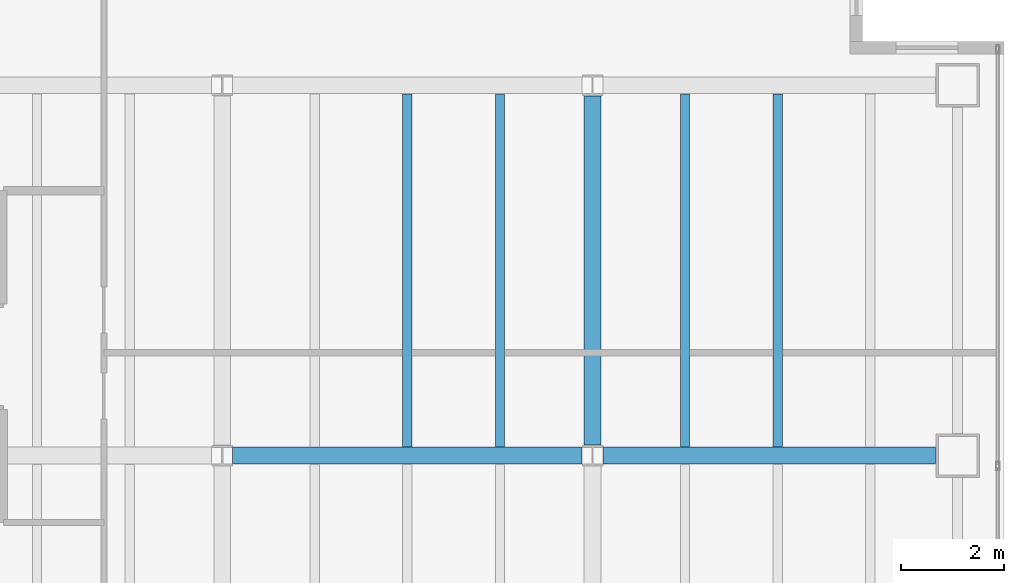
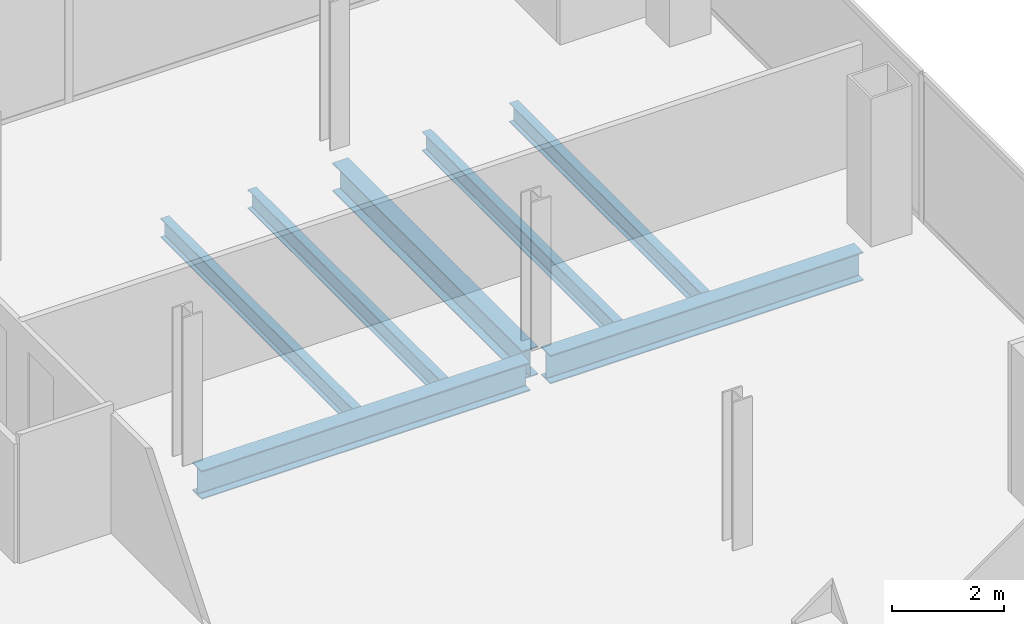
# One storey, part 13 of 23: 7 beams.
"""IFC4 building model written with IfcOpenShell, lengths in metres."""

from ifc_helpers import new_model, si_unit, direction, frame, origin, origin_2d, place, context, subcontext, project, spatial, i_section, extrude, material, material_profile, profile_set, type_object, element, save


model = new_model("IFC4")

# Units and contexts
model_context = context("Model", 3, precision=1e-05, world=origin(), true_north=direction((0.0, 1.0)))
body_context = subcontext(model_context, "Body", "Model", "MODEL_VIEW")
ifc_project = project(units=[si_unit("LENGTHUNIT", "METRE"), si_unit("AREAUNIT", "SQUARE_METRE"), si_unit("VOLUMEUNIT", "CUBIC_METRE"), si_unit("PLANEANGLEUNIT", "RADIAN"), si_unit("MASSUNIT", "GRAM", prefix="KILO")], contexts=[model_context])

# Site, building, storey
site_placement = place(None, origin())
site = spatial("IfcSite", under=ifc_project, at=site_placement, CompositionType="ELEMENT")
building_placement = place(site_placement, origin())
building = spatial("IfcBuilding", under=site, at=building_placement, Name="Cobrela Telecom Tower", CompositionType="ELEMENT")
storey_placement = place(building_placement, frame((0.0, 0.0, 183.75)))
storey = spatial("IfcBuildingStorey", under=building, at=storey_placement, Name="L46", CompositionType="ELEMENT", Elevation=183.75)

# Beams
ifc_material = material(Name="Steel ASTM A992 Grade 50", Category="steel")
ifc_material_profile_1 = material_profile(ifc_material, i_section(OverallWidth=0.327880859375, OverallDepth=0.6220703125, WebThickness=0.015380859375, FlangeThickness=0.0244140625, FilletRadius=0.014892578125, at=origin_2d()), Name="W24X131")
ifc_profile_set_1 = profile_set([ifc_material_profile_1], Name="Steel ASTM A992 Grade 50")
beam_type_1 = type_object("IfcBeamType", Name="BM-GIRD-06", PredefinedType="USERDEFINED", material=ifc_profile_set_1)
beam_1_placement = place(storey_placement, frame((29.00439453125, 14.39990234375, -0.571044921875), z_axis=(1.0, 0.0, 0.0), x_axis=(0.0, 1.0, 0.0)))
element("IfcBeam", 1, at=beam_1_placement, inside=storey, type_object=beam_type_1, Name="L46 Primary Girder X13", ObjectType="GIRDER", PredefinedType="USERDEFINED", context=body_context, shape_type="SweptSolid", body=[
    extrude(i_section(OverallWidth=0.327880859375, OverallDepth=0.6220703125, WebThickness=0.015380859375, FlangeThickness=0.0244140625, FilletRadius=0.014892578125, at=origin_2d()), origin(), (0.0, 0.0, 1.0), 6.791015625),
])
beam_2_placement = place(storey_placement, frame((36.20458984375, 14.39990234375, -0.571044921875), z_axis=(1.0, 0.0, 0.0), x_axis=(0.0, 1.0, 0.0)))
element("IfcBeam", 2, at=beam_2_placement, inside=storey, type_object=beam_type_1, Name="L46 Primary Girder X14", ObjectType="GIRDER", PredefinedType="USERDEFINED", context=body_context, shape_type="SweptSolid", body=[
    extrude(i_section(OverallWidth=0.327880859375, OverallDepth=0.6220703125, WebThickness=0.015380859375, FlangeThickness=0.0244140625, FilletRadius=0.014892578125, at=origin_2d()), origin(), (0.0, 0.0, 1.0), 6.46533203125),
])
beam_3_placement = place(storey_placement, frame((36.0, 14.6044921875, -0.571044921875), z_axis=(0.0, 1.0, 0.0), x_axis=(-1.0, 0.0, 0.0)))
element("IfcBeam", 3, at=beam_3_placement, inside=storey, type_object=beam_type_1, Name="L46 Primary Girder Y41", ObjectType="GIRDER", PredefinedType="USERDEFINED", context=body_context, shape_type="SweptSolid", body=[
    extrude(i_section(OverallWidth=0.327880859375, OverallDepth=0.6220703125, WebThickness=0.015380859375, FlangeThickness=0.0244140625, FilletRadius=0.014892578125, at=origin_2d()), origin(), (0.0, 0.0, 1.0), 6.791015625),
])
ifc_material_profile_2 = material_profile(ifc_material, i_section(OverallWidth=0.179931640625, OverallDepth=0.4169921875, WebThickness=0.010986328125, FlangeThickness=0.01806640625, FilletRadius=0.011962890625, at=origin_2d()), Name="W16X57")
ifc_profile_set_2 = profile_set([ifc_material_profile_2], Name="Steel ASTM A992 Grade 50")
beam_type_2 = type_object("IfcBeamType", Name="BM-JOIST-04", PredefinedType="JOIST", material=ifc_profile_set_2)
for number, where, z_axis, x_axis, name in (
    (4, (32.39990234375, 14.569091796875, -0.468505859375), (0.0, 1.0, 0.0), (-1.0, 0.0, 0.0), "L46 Secondary Composite Floor Beam J22"),
    (5, (34.199951171875, 14.569091796875, -0.468505859375), (0.0, 1.0, 0.0), (-1.0, 0.0, 0.0), "L46 Secondary Composite Floor Beam J24"),
    (6, (37.800048828125, 14.569091796875, -0.468505859375), (0.0, 1.0, 0.0), (-1.0, 0.0, 0.0), "L46 Secondary Composite Floor Beam J26"),
    (7, (39.60009765625, 14.569091796875, -0.468505859375), (0.0, 1.0, 0.0), (-1.0, 0.0, 0.0), "L46 Secondary Composite Floor Beam J28"),
):
    element("IfcBeam", number, at=place(storey_placement, frame(where, z_axis=z_axis, x_axis=x_axis)), inside=storey, type_object=beam_type_2, Name=name, PredefinedType="JOIST", context=body_context, shape_type="SweptSolid", body=[
        extrude(i_section(OverallWidth=0.179931640625, OverallDepth=0.4169921875, WebThickness=0.010986328125, FlangeThickness=0.01806640625, FilletRadius=0.011962890625, at=origin_2d()), origin(), (0.0, 0.0, 1.0), 6.86181640625),
    ])

save(model, "model.ifc")
